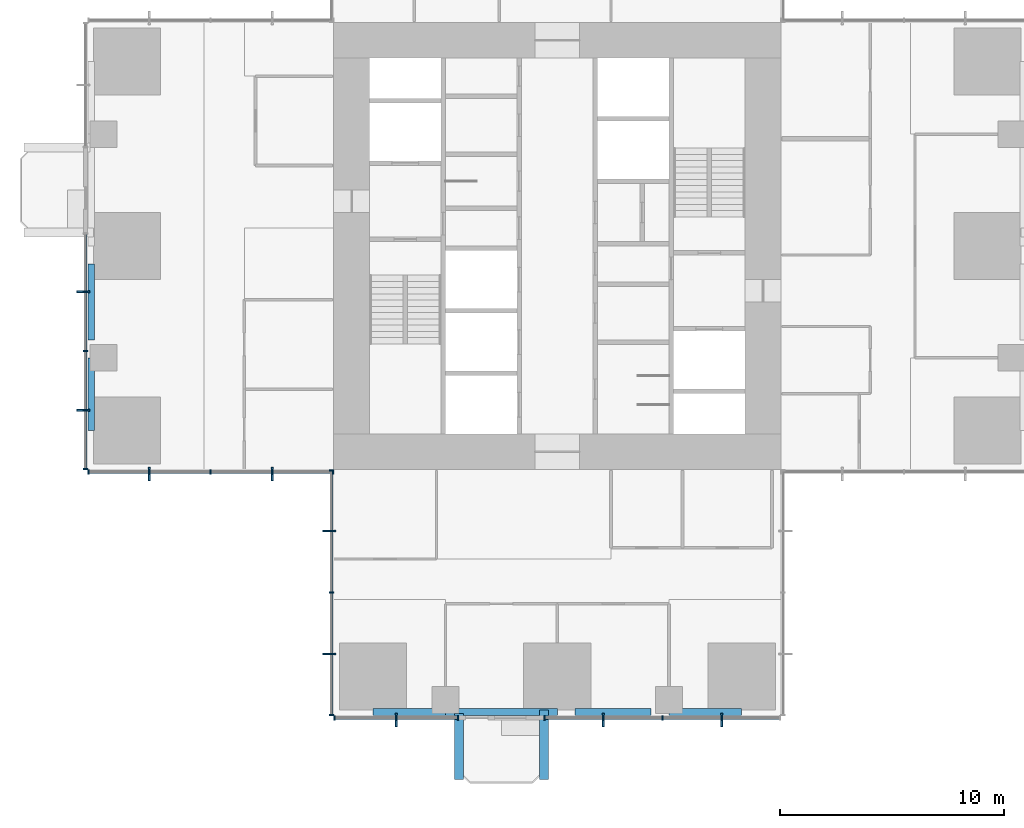
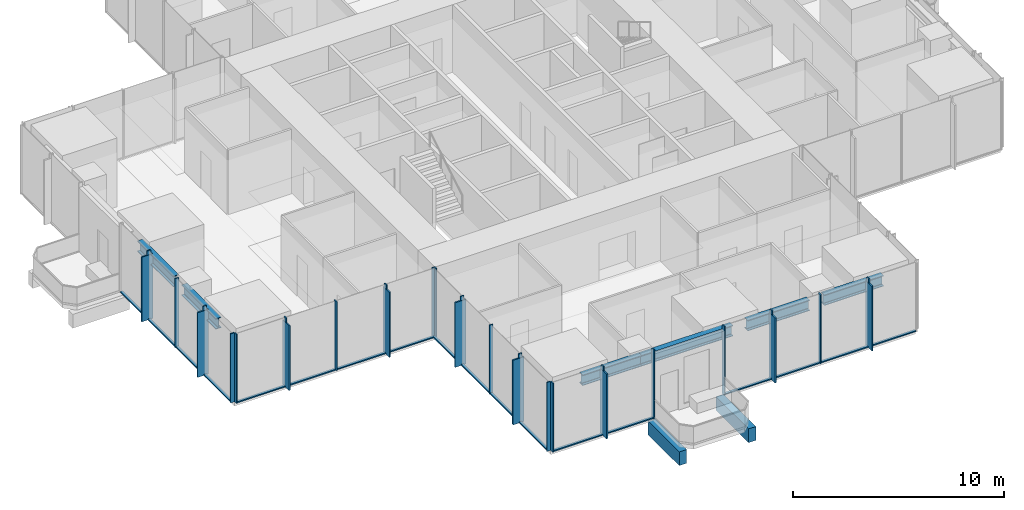
# One storey, part 2 of 13: 48 members, 8 beams, 5 elements without a shape of their own.
"""IFC4 building model written with IfcOpenShell, lengths in metres."""

from ifc_helpers import new_model, si_unit, direction, frame, origin, origin_2d, place, context, subcontext, project, spatial, rectangle, i_section, extrude, material, material_profile, profile_set, type_object, element, aggregate, save


model = new_model("IFC4")

# Units and contexts
model_context = context("Model", 3, precision=1e-05, world=origin(), true_north=direction((0.0, 1.0)))
body_context = subcontext(model_context, "Body", "Model", "MODEL_VIEW")
ifc_project = project(units=[si_unit("LENGTHUNIT", "METRE"), si_unit("AREAUNIT", "SQUARE_METRE"), si_unit("VOLUMEUNIT", "CUBIC_METRE"), si_unit("PLANEANGLEUNIT", "RADIAN"), si_unit("MASSUNIT", "GRAM", prefix="KILO")], contexts=[model_context])

# Site, building, storey
site_placement = place(None, origin())
site = spatial("IfcSite", under=ifc_project, at=site_placement, CompositionType="ELEMENT")
building_placement = place(site_placement, origin())
building = spatial("IfcBuilding", under=site, at=building_placement, Name="Svetlomir Tower", CompositionType="ELEMENT")
storey_placement = place(building_placement, frame((0.0, 0.0, 116.5)))
storey = spatial("IfcBuildingStorey", under=building, at=storey_placement, Name="L27", CompositionType="ELEMENT", Elevation=116.5)

# Beams
ifc_material_1 = material(Name="Concrete C60/75", Category="concrete")
ifc_material_profile_1 = material_profile(ifc_material_1, rectangle(XDim=0.39990234375, YDim=0.800048828125, at=origin_2d()), Name="RC 400x800")
ifc_profile_set_1 = profile_set([ifc_material_profile_1], Name="Concrete C60/75")
beam_type_1 = type_object("IfcBeamType", Name="BALCONY RIB RC 400x800", PredefinedType="BEAM", material=ifc_profile_set_1)
beam_1_placement = place(storey_placement, frame((16.60009765625, 0.10009765625, -0.64990234375), z_axis=(0.0, -1.0, 0.0), x_axis=(1.0, 0.0, 0.0)))
element("IfcBeam", 1, at=beam_1_placement, inside=storey, type_object=beam_type_1, Name="Balcony rib S 1 L27", PredefinedType="BEAM", context=body_context, shape_type="SweptSolid", body=[
    extrude(rectangle(XDim=0.39990234375, YDim=0.800048828125, at=origin_2d()), origin(), (0.0, 0.0, 1.0), 2.9501953125),
])
beam_2_placement = place(storey_placement, frame((20.39990234375, 0.25, -0.64990234375), z_axis=(0.0, -1.0, 0.0), x_axis=(1.0, 0.0, 0.0)))
element("IfcBeam", 2, at=beam_2_placement, inside=storey, type_object=beam_type_1, Name="Balcony rib S 2 L27", PredefinedType="BEAM", context=body_context, shape_type="SweptSolid", body=[
    extrude(rectangle(XDim=0.39990234375, YDim=0.800048828125, at=origin_2d()), origin(), (0.0, 0.0, 1.0), 3.10009765625),
])

# Curtain wall, member
ifc_material_2 = material(Name="Bronze anodised aluminium curtain wall", Category="aluminium")
curtain_wall_type = type_object("IfcCurtainWallType", Name="CURTAIN WALL CW1 TOWER OFFICE", PredefinedType="NOTDEFINED", material=ifc_material_2)
curtain_wall_1_placement = place(storey_placement, origin())
curtain_wall_1 = element("IfcCurtainWall", 3, at=curtain_wall_1_placement, inside=storey, type_object=curtain_wall_type, Name="Curtain wall CW1 L27", PredefinedType="NOTDEFINED")
ifc_material_3 = material(Name="Bronze anodised aluminium", Category="aluminium")
ifc_material_profile_2 = material_profile(ifc_material_3, rectangle(XDim=0.080078125, YDim=0.60009765625, at=origin_2d()), Name="FIN 80x600")
ifc_profile_set_2 = profile_set([ifc_material_profile_2], Name="Bronze anodised aluminium 6063-T6")
member_type_1 = type_object("IfcMemberType", Name="BRONZE FIN 80x600", PredefinedType="USERDEFINED", material=ifc_profile_set_2)
member_1_placement = place(storey_placement, frame((13.800048828125, -0.199951171875, 0.0), z_axis=(0.0, 0.0, 1.0), x_axis=(1.0, 0.0, 0.0)))
member_1 = element("IfcMember", 4, at=member_1_placement, type_object=member_type_1, Name="Bronze fin L27", ObjectType="FIN", PredefinedType="USERDEFINED", context=body_context, shape_type="SweptSolid", body=[
    extrude(rectangle(XDim=0.080078125, YDim=0.60009765625, at=origin_2d()), origin(), (0.0, 0.0, 1.0), 3.75),
])

# Curtain wall, members
curtain_wall_2_placement = place(storey_placement, origin())
curtain_wall_2 = element("IfcCurtainWall", 5, at=curtain_wall_2_placement, inside=storey, type_object=curtain_wall_type, Name="Curtain wall CW1 L27", PredefinedType="NOTDEFINED")
member_2_placement = place(storey_placement, frame((23.050048828125, -0.199951171875, 0.0), z_axis=(0.0, 0.0, 1.0), x_axis=(1.0, 0.0, 0.0)))
member_2 = element("IfcMember", 6, at=member_2_placement, type_object=member_type_1, Name="Bronze fin L27", ObjectType="FIN", PredefinedType="USERDEFINED", context=body_context, shape_type="SweptSolid", body=[
    extrude(rectangle(XDim=0.080078125, YDim=0.60009765625, at=origin_2d()), origin(), (0.0, 0.0, 1.0), 3.75),
])
member_3_placement = place(storey_placement, frame((28.35009765625, -0.199951171875, 0.0), z_axis=(0.0, 0.0, 1.0), x_axis=(1.0, 0.0, 0.0)))
member_3 = element("IfcMember", 7, at=member_3_placement, type_object=member_type_1, Name="Bronze fin L27", ObjectType="FIN", PredefinedType="USERDEFINED", context=body_context, shape_type="SweptSolid", body=[
    extrude(rectangle(XDim=0.080078125, YDim=0.60009765625, at=origin_2d()), origin(), (0.0, 0.0, 1.0), 3.75),
])

curtain_wall_3_placement = place(storey_placement, origin())
curtain_wall_3 = element("IfcCurtainWall", 8, at=curtain_wall_3_placement, inside=storey, type_object=curtain_wall_type, Name="Curtain wall CW1 L27", PredefinedType="NOTDEFINED")
member_4_placement = place(storey_placement, frame((-0.199951171875, 18.949951171875, 0.0), z_axis=(0.0, 0.0, 1.0), x_axis=(0.0, 1.0, 0.0)))
member_4 = element("IfcMember", 9, at=member_4_placement, type_object=member_type_1, Name="Bronze fin L27", ObjectType="FIN", PredefinedType="USERDEFINED", context=body_context, shape_type="SweptSolid", body=[
    extrude(rectangle(XDim=0.080078125, YDim=0.60009765625, at=origin_2d()), origin(), (0.0, 0.0, 1.0), 3.75),
])
member_5_placement = place(storey_placement, frame((-0.199951171875, 13.64990234375, 0.0), z_axis=(0.0, 0.0, 1.0), x_axis=(0.0, 1.0, 0.0)))
member_5 = element("IfcMember", 10, at=member_5_placement, type_object=member_type_1, Name="Bronze fin L27", ObjectType="FIN", PredefinedType="USERDEFINED", context=body_context, shape_type="SweptSolid", body=[
    extrude(rectangle(XDim=0.080078125, YDim=0.60009765625, at=origin_2d()), origin(), (0.0, 0.0, 1.0), 3.75),
])

curtain_wall_4_placement = place(storey_placement, origin())
curtain_wall_4 = element("IfcCurtainWall", 11, at=curtain_wall_4_placement, inside=storey, type_object=curtain_wall_type, Name="Curtain wall CW1 L27", PredefinedType="NOTDEFINED")
member_6_placement = place(storey_placement, frame((2.75, 10.800048828125, 0.0), z_axis=(0.0, 0.0, 1.0), x_axis=(1.0, 0.0, 0.0)))
member_6 = element("IfcMember", 12, at=member_6_placement, type_object=member_type_1, Name="Bronze fin L27", ObjectType="FIN", PredefinedType="USERDEFINED", context=body_context, shape_type="SweptSolid", body=[
    extrude(rectangle(XDim=0.080078125, YDim=0.60009765625, at=origin_2d()), origin(), (0.0, 0.0, 1.0), 3.75),
])
member_7_placement = place(storey_placement, frame((8.25, 10.800048828125, 0.0), z_axis=(0.0, 0.0, 1.0), x_axis=(1.0, 0.0, 0.0)))
member_7 = element("IfcMember", 13, at=member_7_placement, type_object=member_type_1, Name="Bronze fin L27", ObjectType="FIN", PredefinedType="USERDEFINED", context=body_context, shape_type="SweptSolid", body=[
    extrude(rectangle(XDim=0.080078125, YDim=0.60009765625, at=origin_2d()), origin(), (0.0, 0.0, 1.0), 3.75),
])

curtain_wall_5_placement = place(storey_placement, origin())
curtain_wall_5 = element("IfcCurtainWall", 14, at=curtain_wall_5_placement, inside=storey, type_object=curtain_wall_type, Name="Curtain wall CW1 L27", PredefinedType="NOTDEFINED")
member_8_placement = place(storey_placement, frame((10.800048828125, 8.25, 0.0), z_axis=(0.0, 0.0, 1.0), x_axis=(0.0, 1.0, 0.0)))
member_8 = element("IfcMember", 15, at=member_8_placement, type_object=member_type_1, Name="Bronze fin L27", ObjectType="FIN", PredefinedType="USERDEFINED", context=body_context, shape_type="SweptSolid", body=[
    extrude(rectangle(XDim=0.080078125, YDim=0.60009765625, at=origin_2d()), origin(), (0.0, 0.0, 1.0), 3.75),
])
member_9_placement = place(storey_placement, frame((10.800048828125, 2.75, 0.0), z_axis=(0.0, 0.0, 1.0), x_axis=(0.0, 1.0, 0.0)))
member_9 = element("IfcMember", 16, at=member_9_placement, type_object=member_type_1, Name="Bronze fin L27", ObjectType="FIN", PredefinedType="USERDEFINED", context=body_context, shape_type="SweptSolid", body=[
    extrude(rectangle(XDim=0.080078125, YDim=0.60009765625, at=origin_2d()), origin(), (0.0, 0.0, 1.0), 3.75),
])

# Member
ifc_material_4 = material(Name="Bronze anodised aluminium", Category="aluminium")
ifc_material_profile_3 = material_profile(ifc_material_4, rectangle(XDim=0.06494140625, YDim=0.199951171875, at=origin_2d()), Name="AL 65x200")
ifc_profile_set_3 = profile_set([ifc_material_profile_3], Name="Bronze anodised aluminium 6063-T6")
member_type_2 = type_object("IfcMemberType", Name="CW1 MULLION 65x200", PredefinedType="MULLION", material=ifc_profile_set_3)
member_10_placement = place(storey_placement, frame((11.032470703125, -0.10009765625, 0.0), z_axis=(0.0, 0.0, 1.0), x_axis=(1.0, 0.0, 0.0)))
member_10 = element("IfcMember", 17, at=member_10_placement, type_object=member_type_2, Name="CW1 mullion 1", PredefinedType="MULLION", context=body_context, shape_type="SweptSolid", body=[
    extrude(rectangle(XDim=0.06494140625, YDim=0.199951171875, at=origin_2d()), origin(), (0.0, 0.0, 1.0), 4.0),
])

member_11_placement = place(storey_placement, frame((13.800048828125, -0.10009765625, 0.0), z_axis=(0.0, 0.0, 1.0), x_axis=(1.0, 0.0, 0.0)))
member_11 = element("IfcMember", 18, at=member_11_placement, type_object=member_type_2, Name="CW1 mullion 2", PredefinedType="MULLION", context=body_context, shape_type="SweptSolid", body=[
    extrude(rectangle(XDim=0.06494140625, YDim=0.199951171875, at=origin_2d()), origin(), (0.0, 0.0, 1.0), 4.0),
])

member_12_placement = place(storey_placement, frame((16.5673828125, -0.10009765625, 0.0), z_axis=(0.0, 0.0, 1.0), x_axis=(1.0, 0.0, 0.0)))
member_12 = element("IfcMember", 19, at=member_12_placement, type_object=member_type_2, Name="CW1 mullion 3", PredefinedType="MULLION", context=body_context, shape_type="SweptSolid", body=[
    extrude(rectangle(XDim=0.06494140625, YDim=0.199951171875, at=origin_2d()), origin(), (0.0, 0.0, 1.0), 4.0),
])

member_13_placement = place(storey_placement, frame((20.4326171875, -0.10009765625, 0.0), z_axis=(0.0, 0.0, 1.0), x_axis=(1.0, 0.0, 0.0)))
member_13 = element("IfcMember", 20, at=member_13_placement, type_object=member_type_2, Name="CW1 mullion 1", PredefinedType="MULLION", context=body_context, shape_type="SweptSolid", body=[
    extrude(rectangle(XDim=0.06494140625, YDim=0.199951171875, at=origin_2d()), origin(), (0.0, 0.0, 1.0), 4.0),
])

member_14_placement = place(storey_placement, frame((23.050048828125, -0.10009765625, 0.0), z_axis=(0.0, 0.0, 1.0), x_axis=(1.0, 0.0, 0.0)))
member_14 = element("IfcMember", 21, at=member_14_placement, type_object=member_type_2, Name="CW1 mullion 2", PredefinedType="MULLION", context=body_context, shape_type="SweptSolid", body=[
    extrude(rectangle(XDim=0.06494140625, YDim=0.199951171875, at=origin_2d()), origin(), (0.0, 0.0, 1.0), 4.0),
])

member_15_placement = place(storey_placement, frame((25.699951171875, -0.10009765625, 0.0), z_axis=(0.0, 0.0, 1.0), x_axis=(1.0, 0.0, 0.0)))
member_15 = element("IfcMember", 22, at=member_15_placement, type_object=member_type_2, Name="CW1 mullion 3", PredefinedType="MULLION", context=body_context, shape_type="SweptSolid", body=[
    extrude(rectangle(XDim=0.06494140625, YDim=0.199951171875, at=origin_2d()), origin(), (0.0, 0.0, 1.0), 4.0),
])

member_16_placement = place(storey_placement, frame((28.35009765625, -0.10009765625, 0.0), z_axis=(0.0, 0.0, 1.0), x_axis=(1.0, 0.0, 0.0)))
member_16 = element("IfcMember", 23, at=member_16_placement, type_object=member_type_2, Name="CW1 mullion 4", PredefinedType="MULLION", context=body_context, shape_type="SweptSolid", body=[
    extrude(rectangle(XDim=0.06494140625, YDim=0.199951171875, at=origin_2d()), origin(), (0.0, 0.0, 1.0), 4.0),
])

member_17_placement = place(storey_placement, frame((-0.10009765625, 18.949951171875, 0.0), z_axis=(0.0, 0.0, 1.0), x_axis=(0.0, -1.0, 0.0)))
member_17 = element("IfcMember", 24, at=member_17_placement, type_object=member_type_2, Name="CW1 mullion 2", PredefinedType="MULLION", context=body_context, shape_type="SweptSolid", body=[
    extrude(rectangle(XDim=0.06494140625, YDim=0.199951171875, at=origin_2d()), origin(), (0.0, 0.0, 1.0), 4.0),
])

member_18_placement = place(storey_placement, frame((-0.10009765625, 16.300048828125, 0.0), z_axis=(0.0, 0.0, 1.0), x_axis=(0.0, -1.0, 0.0)))
member_18 = element("IfcMember", 25, at=member_18_placement, type_object=member_type_2, Name="CW1 mullion 3", PredefinedType="MULLION", context=body_context, shape_type="SweptSolid", body=[
    extrude(rectangle(XDim=0.06494140625, YDim=0.199951171875, at=origin_2d()), origin(), (0.0, 0.0, 1.0), 4.0),
])

member_19_placement = place(storey_placement, frame((-0.10009765625, 13.64990234375, 0.0), z_axis=(0.0, 0.0, 1.0), x_axis=(0.0, -1.0, 0.0)))
member_19 = element("IfcMember", 26, at=member_19_placement, type_object=member_type_2, Name="CW1 mullion 4", PredefinedType="MULLION", context=body_context, shape_type="SweptSolid", body=[
    extrude(rectangle(XDim=0.06494140625, YDim=0.199951171875, at=origin_2d()), origin(), (0.0, 0.0, 1.0), 4.0),
])

member_20_placement = place(storey_placement, frame((-0.10009765625, 11.032470703125, 0.0), z_axis=(0.0, 0.0, 1.0), x_axis=(0.0, -1.0, 0.0)))
member_20 = element("IfcMember", 27, at=member_20_placement, type_object=member_type_2, Name="CW1 mullion 5", PredefinedType="MULLION", context=body_context, shape_type="SweptSolid", body=[
    extrude(rectangle(XDim=0.06494140625, YDim=0.199951171875, at=origin_2d()), origin(), (0.0, 0.0, 1.0), 4.0),
])

member_21_placement = place(storey_placement, frame((0.032470703125, 10.89990234375, 0.0), z_axis=(0.0, 0.0, 1.0), x_axis=(1.0, 0.0, 0.0)))
member_21 = element("IfcMember", 28, at=member_21_placement, type_object=member_type_2, Name="CW1 mullion 1", PredefinedType="MULLION", context=body_context, shape_type="SweptSolid", body=[
    extrude(rectangle(XDim=0.06494140625, YDim=0.199951171875, at=origin_2d()), origin(), (0.0, 0.0, 1.0), 4.0),
])

member_22_placement = place(storey_placement, frame((2.75, 10.89990234375, 0.0), z_axis=(0.0, 0.0, 1.0), x_axis=(1.0, 0.0, 0.0)))
member_22 = element("IfcMember", 29, at=member_22_placement, type_object=member_type_2, Name="CW1 mullion 2", PredefinedType="MULLION", context=body_context, shape_type="SweptSolid", body=[
    extrude(rectangle(XDim=0.06494140625, YDim=0.199951171875, at=origin_2d()), origin(), (0.0, 0.0, 1.0), 4.0),
])

member_23_placement = place(storey_placement, frame((5.5, 10.89990234375, 0.0), z_axis=(0.0, 0.0, 1.0), x_axis=(1.0, 0.0, 0.0)))
member_23 = element("IfcMember", 30, at=member_23_placement, type_object=member_type_2, Name="CW1 mullion 3", PredefinedType="MULLION", context=body_context, shape_type="SweptSolid", body=[
    extrude(rectangle(XDim=0.06494140625, YDim=0.199951171875, at=origin_2d()), origin(), (0.0, 0.0, 1.0), 4.0),
])

member_24_placement = place(storey_placement, frame((8.25, 10.89990234375, 0.0), z_axis=(0.0, 0.0, 1.0), x_axis=(1.0, 0.0, 0.0)))
member_24 = element("IfcMember", 31, at=member_24_placement, type_object=member_type_2, Name="CW1 mullion 4", PredefinedType="MULLION", context=body_context, shape_type="SweptSolid", body=[
    extrude(rectangle(XDim=0.06494140625, YDim=0.199951171875, at=origin_2d()), origin(), (0.0, 0.0, 1.0), 4.0),
])

member_25_placement = place(storey_placement, frame((10.967529296875, 10.89990234375, 0.0), z_axis=(0.0, 0.0, 1.0), x_axis=(1.0, 0.0, 0.0)))
member_25 = element("IfcMember", 32, at=member_25_placement, type_object=member_type_2, Name="CW1 mullion 5", PredefinedType="MULLION", context=body_context, shape_type="SweptSolid", body=[
    extrude(rectangle(XDim=0.06494140625, YDim=0.199951171875, at=origin_2d()), origin(), (0.0, 0.0, 1.0), 4.0),
])

member_26_placement = place(storey_placement, frame((10.89990234375, 10.967529296875, 0.0), z_axis=(0.0, 0.0, 1.0), x_axis=(0.0, -1.0, 0.0)))
member_26 = element("IfcMember", 33, at=member_26_placement, type_object=member_type_2, Name="CW1 mullion 1", PredefinedType="MULLION", context=body_context, shape_type="SweptSolid", body=[
    extrude(rectangle(XDim=0.06494140625, YDim=0.199951171875, at=origin_2d()), origin(), (0.0, 0.0, 1.0), 4.0),
])

member_27_placement = place(storey_placement, frame((10.89990234375, 8.25, 0.0), z_axis=(0.0, 0.0, 1.0), x_axis=(0.0, -1.0, 0.0)))
member_27 = element("IfcMember", 34, at=member_27_placement, type_object=member_type_2, Name="CW1 mullion 2", PredefinedType="MULLION", context=body_context, shape_type="SweptSolid", body=[
    extrude(rectangle(XDim=0.06494140625, YDim=0.199951171875, at=origin_2d()), origin(), (0.0, 0.0, 1.0), 4.0),
])

member_28_placement = place(storey_placement, frame((10.89990234375, 5.5, 0.0), z_axis=(0.0, 0.0, 1.0), x_axis=(0.0, -1.0, 0.0)))
member_28 = element("IfcMember", 35, at=member_28_placement, type_object=member_type_2, Name="CW1 mullion 3", PredefinedType="MULLION", context=body_context, shape_type="SweptSolid", body=[
    extrude(rectangle(XDim=0.06494140625, YDim=0.199951171875, at=origin_2d()), origin(), (0.0, 0.0, 1.0), 4.0),
])

member_29_placement = place(storey_placement, frame((10.89990234375, 2.75, 0.0), z_axis=(0.0, 0.0, 1.0), x_axis=(0.0, -1.0, 0.0)))
member_29 = element("IfcMember", 36, at=member_29_placement, type_object=member_type_2, Name="CW1 mullion 4", PredefinedType="MULLION", context=body_context, shape_type="SweptSolid", body=[
    extrude(rectangle(XDim=0.06494140625, YDim=0.199951171875, at=origin_2d()), origin(), (0.0, 0.0, 1.0), 4.0),
])

member_30_placement = place(storey_placement, frame((10.89990234375, 0.032470703125, 0.0), z_axis=(0.0, 0.0, 1.0), x_axis=(0.0, -1.0, 0.0)))
member_30 = element("IfcMember", 37, at=member_30_placement, type_object=member_type_2, Name="CW1 mullion 5", PredefinedType="MULLION", context=body_context, shape_type="SweptSolid", body=[
    extrude(rectangle(XDim=0.06494140625, YDim=0.199951171875, at=origin_2d()), origin(), (0.0, 0.0, 1.0), 4.0),
])

ifc_material_5 = material(Name="Bronze anodised aluminium", Category="aluminium")
ifc_material_profile_4 = material_profile(ifc_material_5, rectangle(XDim=0.139892578125, YDim=0.06494140625, at=origin_2d()), Name="AL 140x65")
ifc_profile_set_4 = profile_set([ifc_material_profile_4], Name="Bronze anodised aluminium 6063-T6")
member_type_3 = type_object("IfcMemberType", Name="CW1 TRANSOM 65x140", PredefinedType="USERDEFINED", material=ifc_profile_set_4)
member_31_placement = place(storey_placement, frame((11.06494140625, -0.10009765625, 0.032470703125), z_axis=(1.0, 0.0, 0.0), x_axis=(0.0, 1.0, 0.0)))
member_31 = element("IfcMember", 38, at=member_31_placement, type_object=member_type_3, Name="CW1 transom 1.1", ObjectType="TRANSOM", PredefinedType="USERDEFINED", context=body_context, shape_type="SweptSolid", body=[
    extrude(rectangle(XDim=0.139892578125, YDim=0.06494140625, at=origin_2d()), origin(), (0.0, 0.0, 1.0), 2.70263671875),
])

member_32_placement = place(storey_placement, frame((13.83251953125, -0.10009765625, 0.032470703125), z_axis=(1.0, 0.0, 0.0), x_axis=(0.0, 1.0, 0.0)))
member_32 = element("IfcMember", 39, at=member_32_placement, type_object=member_type_3, Name="CW1 transom 2.1", ObjectType="TRANSOM", PredefinedType="USERDEFINED", context=body_context, shape_type="SweptSolid", body=[
    extrude(rectangle(XDim=0.139892578125, YDim=0.06494140625, at=origin_2d()), origin(), (0.0, 0.0, 1.0), 2.702392578125),
])

aggregate(curtain_wall_1, [member_10, member_11, member_12, member_31, member_32, member_1])

member_33_placement = place(storey_placement, frame((20.465087890625, -0.10009765625, 0.032470703125), z_axis=(1.0, 0.0, 0.0), x_axis=(0.0, 1.0, 0.0)))
member_33 = element("IfcMember", 40, at=member_33_placement, type_object=member_type_3, Name="CW1 transom 1.1", ObjectType="TRANSOM", PredefinedType="USERDEFINED", context=body_context, shape_type="SweptSolid", body=[
    extrude(rectangle(XDim=0.139892578125, YDim=0.06494140625, at=origin_2d()), origin(), (0.0, 0.0, 1.0), 2.552490234375),
])

member_34_placement = place(storey_placement, frame((23.08251953125, -0.10009765625, 0.032470703125), z_axis=(1.0, 0.0, 0.0), x_axis=(0.0, 1.0, 0.0)))
member_34 = element("IfcMember", 41, at=member_34_placement, type_object=member_type_3, Name="CW1 transom 2.1", ObjectType="TRANSOM", PredefinedType="USERDEFINED", context=body_context, shape_type="SweptSolid", body=[
    extrude(rectangle(XDim=0.139892578125, YDim=0.06494140625, at=origin_2d()), origin(), (0.0, 0.0, 1.0), 2.5849609375),
])

member_35_placement = place(storey_placement, frame((25.732421875, -0.10009765625, 0.032470703125), z_axis=(1.0, 0.0, 0.0), x_axis=(0.0, 1.0, 0.0)))
member_35 = element("IfcMember", 42, at=member_35_placement, type_object=member_type_3, Name="CW1 transom 3.1", ObjectType="TRANSOM", PredefinedType="USERDEFINED", context=body_context, shape_type="SweptSolid", body=[
    extrude(rectangle(XDim=0.139892578125, YDim=0.06494140625, at=origin_2d()), origin(), (0.0, 0.0, 1.0), 2.5849609375),
])

member_36_placement = place(storey_placement, frame((28.382568359375, -0.10009765625, 0.032470703125), z_axis=(1.0, 0.0, 0.0), x_axis=(0.0, 1.0, 0.0)))
member_36 = element("IfcMember", 43, at=member_36_placement, type_object=member_type_3, Name="CW1 transom 4.1", ObjectType="TRANSOM", PredefinedType="USERDEFINED", context=body_context, shape_type="SweptSolid", body=[
    extrude(rectangle(XDim=0.139892578125, YDim=0.06494140625, at=origin_2d()), origin(), (0.0, 0.0, 1.0), 2.552490234375),
])

aggregate(curtain_wall_2, [member_13, member_14, member_15, member_16, member_33, member_34, member_35, member_36, member_2, member_3])

member_37_placement = place(storey_placement, frame((-0.10009765625, 21.534912109375, 0.032470703125), z_axis=(0.0, -1.0, 0.0), x_axis=(1.0, 0.0, 0.0)))
member_37 = element("IfcMember", 44, at=member_37_placement, type_object=member_type_3, Name="CW1 transom 1.1", ObjectType="TRANSOM", PredefinedType="USERDEFINED", context=body_context, shape_type="SweptSolid", body=[
    extrude(rectangle(XDim=0.139892578125, YDim=0.06494140625, at=origin_2d()), origin(), (0.0, 0.0, 1.0), 2.552490234375),
])

member_38_placement = place(storey_placement, frame((-0.10009765625, 18.91748046875, 0.032470703125), z_axis=(0.0, -1.0, 0.0), x_axis=(1.0, 0.0, 0.0)))
member_38 = element("IfcMember", 45, at=member_38_placement, type_object=member_type_3, Name="CW1 transom 2.1", ObjectType="TRANSOM", PredefinedType="USERDEFINED", context=body_context, shape_type="SweptSolid", body=[
    extrude(rectangle(XDim=0.139892578125, YDim=0.06494140625, at=origin_2d()), origin(), (0.0, 0.0, 1.0), 2.5849609375),
])

member_39_placement = place(storey_placement, frame((-0.10009765625, 16.267578125, 0.032470703125), z_axis=(0.0, -1.0, 0.0), x_axis=(1.0, 0.0, 0.0)))
member_39 = element("IfcMember", 46, at=member_39_placement, type_object=member_type_3, Name="CW1 transom 3.1", ObjectType="TRANSOM", PredefinedType="USERDEFINED", context=body_context, shape_type="SweptSolid", body=[
    extrude(rectangle(XDim=0.139892578125, YDim=0.06494140625, at=origin_2d()), origin(), (0.0, 0.0, 1.0), 2.5849609375),
])

member_40_placement = place(storey_placement, frame((-0.10009765625, 13.617431640625, 0.032470703125), z_axis=(0.0, -1.0, 0.0), x_axis=(1.0, 0.0, 0.0)))
member_40 = element("IfcMember", 47, at=member_40_placement, type_object=member_type_3, Name="CW1 transom 4.1", ObjectType="TRANSOM", PredefinedType="USERDEFINED", context=body_context, shape_type="SweptSolid", body=[
    extrude(rectangle(XDim=0.139892578125, YDim=0.06494140625, at=origin_2d()), origin(), (0.0, 0.0, 1.0), 2.552490234375),
])

aggregate(curtain_wall_3, [member_17, member_18, member_19, member_20, member_37, member_38, member_39, member_40, member_4, member_5])

member_41_placement = place(storey_placement, frame((0.06494140625, 10.89990234375, 0.032470703125), z_axis=(1.0, 0.0, 0.0), x_axis=(0.0, 1.0, 0.0)))
member_41 = element("IfcMember", 48, at=member_41_placement, type_object=member_type_3, Name="CW1 transom 1.1", ObjectType="TRANSOM", PredefinedType="USERDEFINED", context=body_context, shape_type="SweptSolid", body=[
    extrude(rectangle(XDim=0.139892578125, YDim=0.06494140625, at=origin_2d()), origin(), (0.0, 0.0, 1.0), 2.652587890625),
])

member_42_placement = place(storey_placement, frame((2.782470703125, 10.89990234375, 0.032470703125), z_axis=(1.0, 0.0, 0.0), x_axis=(0.0, 1.0, 0.0)))
member_42 = element("IfcMember", 49, at=member_42_placement, type_object=member_type_3, Name="CW1 transom 2.1", ObjectType="TRANSOM", PredefinedType="USERDEFINED", context=body_context, shape_type="SweptSolid", body=[
    extrude(rectangle(XDim=0.139892578125, YDim=0.06494140625, at=origin_2d()), origin(), (0.0, 0.0, 1.0), 2.68505859375),
])

member_43_placement = place(storey_placement, frame((5.532470703125, 10.89990234375, 0.032470703125), z_axis=(1.0, 0.0, 0.0), x_axis=(0.0, 1.0, 0.0)))
member_43 = element("IfcMember", 50, at=member_43_placement, type_object=member_type_3, Name="CW1 transom 3.1", ObjectType="TRANSOM", PredefinedType="USERDEFINED", context=body_context, shape_type="SweptSolid", body=[
    extrude(rectangle(XDim=0.139892578125, YDim=0.06494140625, at=origin_2d()), origin(), (0.0, 0.0, 1.0), 2.68505859375),
])

member_44_placement = place(storey_placement, frame((8.282470703125, 10.89990234375, 0.032470703125), z_axis=(1.0, 0.0, 0.0), x_axis=(0.0, 1.0, 0.0)))
member_44 = element("IfcMember", 51, at=member_44_placement, type_object=member_type_3, Name="CW1 transom 4.1", ObjectType="TRANSOM", PredefinedType="USERDEFINED", context=body_context, shape_type="SweptSolid", body=[
    extrude(rectangle(XDim=0.139892578125, YDim=0.06494140625, at=origin_2d()), origin(), (0.0, 0.0, 1.0), 2.652587890625),
])

aggregate(curtain_wall_4, [member_21, member_22, member_23, member_24, member_25, member_41, member_42, member_43, member_44, member_6, member_7])

member_45_placement = place(storey_placement, frame((10.89990234375, 10.93505859375, 0.032470703125), z_axis=(0.0, -1.0, 0.0), x_axis=(1.0, 0.0, 0.0)))
member_45 = element("IfcMember", 52, at=member_45_placement, type_object=member_type_3, Name="CW1 transom 1.1", ObjectType="TRANSOM", PredefinedType="USERDEFINED", context=body_context, shape_type="SweptSolid", body=[
    extrude(rectangle(XDim=0.139892578125, YDim=0.06494140625, at=origin_2d()), origin(), (0.0, 0.0, 1.0), 2.652587890625),
])

member_46_placement = place(storey_placement, frame((10.89990234375, 8.217529296875, 0.032470703125), z_axis=(0.0, -1.0, 0.0), x_axis=(1.0, 0.0, 0.0)))
member_46 = element("IfcMember", 53, at=member_46_placement, type_object=member_type_3, Name="CW1 transom 2.1", ObjectType="TRANSOM", PredefinedType="USERDEFINED", context=body_context, shape_type="SweptSolid", body=[
    extrude(rectangle(XDim=0.139892578125, YDim=0.06494140625, at=origin_2d()), origin(), (0.0, 0.0, 1.0), 2.68505859375),
])

member_47_placement = place(storey_placement, frame((10.89990234375, 5.467529296875, 0.032470703125), z_axis=(0.0, -1.0, 0.0), x_axis=(1.0, 0.0, 0.0)))
member_47 = element("IfcMember", 54, at=member_47_placement, type_object=member_type_3, Name="CW1 transom 3.1", ObjectType="TRANSOM", PredefinedType="USERDEFINED", context=body_context, shape_type="SweptSolid", body=[
    extrude(rectangle(XDim=0.139892578125, YDim=0.06494140625, at=origin_2d()), origin(), (0.0, 0.0, 1.0), 2.68505859375),
])

member_48_placement = place(storey_placement, frame((10.89990234375, 2.717529296875, 0.032470703125), z_axis=(0.0, -1.0, 0.0), x_axis=(1.0, 0.0, 0.0)))
member_48 = element("IfcMember", 55, at=member_48_placement, type_object=member_type_3, Name="CW1 transom 4.1", ObjectType="TRANSOM", PredefinedType="USERDEFINED", context=body_context, shape_type="SweptSolid", body=[
    extrude(rectangle(XDim=0.139892578125, YDim=0.06494140625, at=origin_2d()), origin(), (0.0, 0.0, 1.0), 2.652587890625),
])

aggregate(curtain_wall_5, [member_26, member_27, member_28, member_29, member_30, member_45, member_46, member_47, member_48, member_8, member_9])

# Beams
ifc_material_6 = material(Name="Steel S355", Category="steel")
ifc_material_profile_5 = material_profile(ifc_material_6, i_section(OverallWidth=0.304931640625, OverallDepth=0.6201171875, WebThickness=0.02099609375, FlangeThickness=0.0400390625, FilletRadius=0.027099609375, at=origin_2d()), Name="HEM 600")
ifc_profile_set_5 = profile_set([ifc_material_profile_5], Name="Steel S355")
beam_type_2 = type_object("IfcBeamType", Name="EDGE BEAM HEM 600", PredefinedType="SPANDREL", material=ifc_profile_set_5)
for number, where, z_axis, x_axis, name in (
    (56, (12.75, 0.152587890625, 3.43994140625), (1.0, 0.0, 0.0), (0.0, 1.0, 0.0), "Edge beam 11/0 to 16/0 under L28"),
    (57, (0.152587890625, 12.75, 3.43994140625), (0.0, 1.0, 0.0), (-1.0, 0.0, 0.0), "Edge beam 0/11 to 0/16 under L28"),
):
    element("IfcBeam", number, at=place(storey_placement, frame(where, z_axis=z_axis, x_axis=x_axis)), inside=storey, type_object=beam_type_2, Name=name, PredefinedType="SPANDREL", context=body_context, shape_type="SweptSolid", body=[
        extrude(i_section(OverallWidth=0.304931640625, OverallDepth=0.6201171875, WebThickness=0.02099609375, FlangeThickness=0.0400390625, FilletRadius=0.027099609375, at=origin_2d()), origin(), (0.0, 0.0, 1.0), 3.25),
    ])
beam_3_placement = place(storey_placement, frame((16.0, 0.152587890625, 3.43994140625), z_axis=(1.0, 0.0, 0.0), x_axis=(0.0, 1.0, 0.0)))
element("IfcBeam", 58, at=beam_3_placement, inside=storey, type_object=beam_type_2, Name="Edge beam 16/0 to 21/0 under L28", PredefinedType="SPANDREL", context=body_context, shape_type="SweptSolid", body=[
    extrude(i_section(OverallWidth=0.304931640625, OverallDepth=0.6201171875, WebThickness=0.02099609375, FlangeThickness=0.0400390625, FilletRadius=0.027099609375, at=origin_2d()), origin(), (0.0, 0.0, 1.0), 5.0),
])
for number, where, z_axis, x_axis, name in (
    (59, (0.152587890625, 16.800048828125, 3.43994140625), (0.0, 1.0, 0.0), (-1.0, 0.0, 0.0), "Edge beam 0/16 to 0/21 under L28"),
    (60, (21.800048828125, 0.152587890625, 3.43994140625), (1.0, 0.0, 0.0), (0.0, 1.0, 0.0), "Edge beam 21/0 to 26/0 under L28"),
):
    element("IfcBeam", number, at=place(storey_placement, frame(where, z_axis=z_axis, x_axis=x_axis)), inside=storey, type_object=beam_type_2, Name=name, PredefinedType="SPANDREL", context=body_context, shape_type="SweptSolid", body=[
        extrude(i_section(OverallWidth=0.304931640625, OverallDepth=0.6201171875, WebThickness=0.02099609375, FlangeThickness=0.0400390625, FilletRadius=0.027099609375, at=origin_2d()), origin(), (0.0, 0.0, 1.0), 3.39990234375),
    ])
beam_4_placement = place(storey_placement, frame((26.0, 0.152587890625, 3.43994140625), z_axis=(1.0, 0.0, 0.0), x_axis=(0.0, 1.0, 0.0)))
element("IfcBeam", 61, at=beam_4_placement, inside=storey, type_object=beam_type_2, Name="Edge beam 26/0 to 31/0 under L28", PredefinedType="SPANDREL", context=body_context, shape_type="SweptSolid", body=[
    extrude(i_section(OverallWidth=0.304931640625, OverallDepth=0.6201171875, WebThickness=0.02099609375, FlangeThickness=0.0400390625, FilletRadius=0.027099609375, at=origin_2d()), origin(), (0.0, 0.0, 1.0), 3.25),
])

save(model, "model.ifc")
